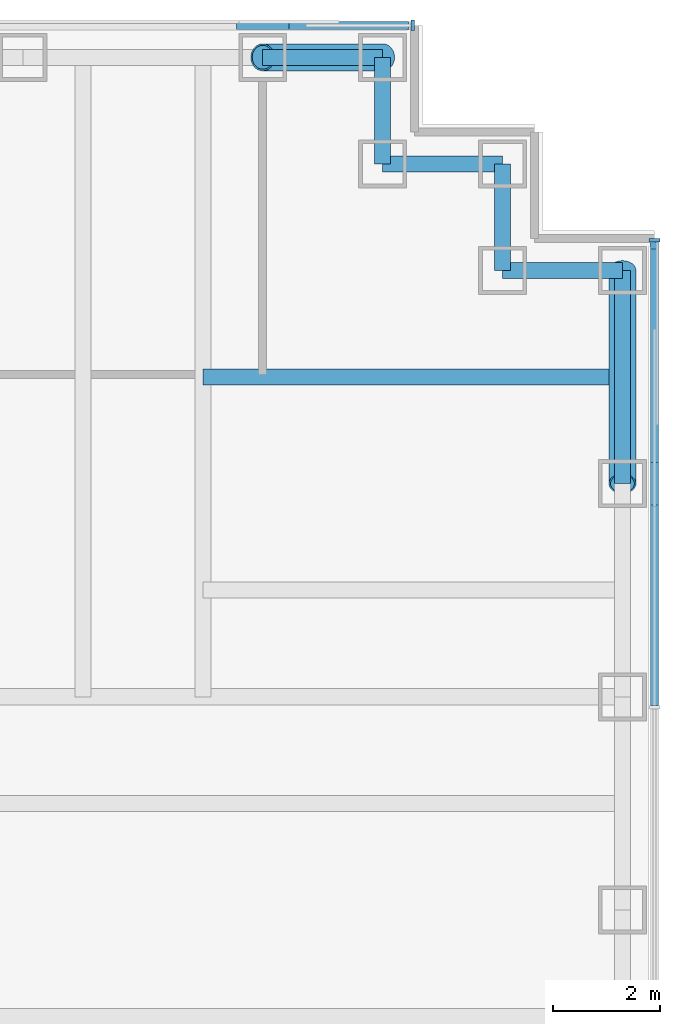
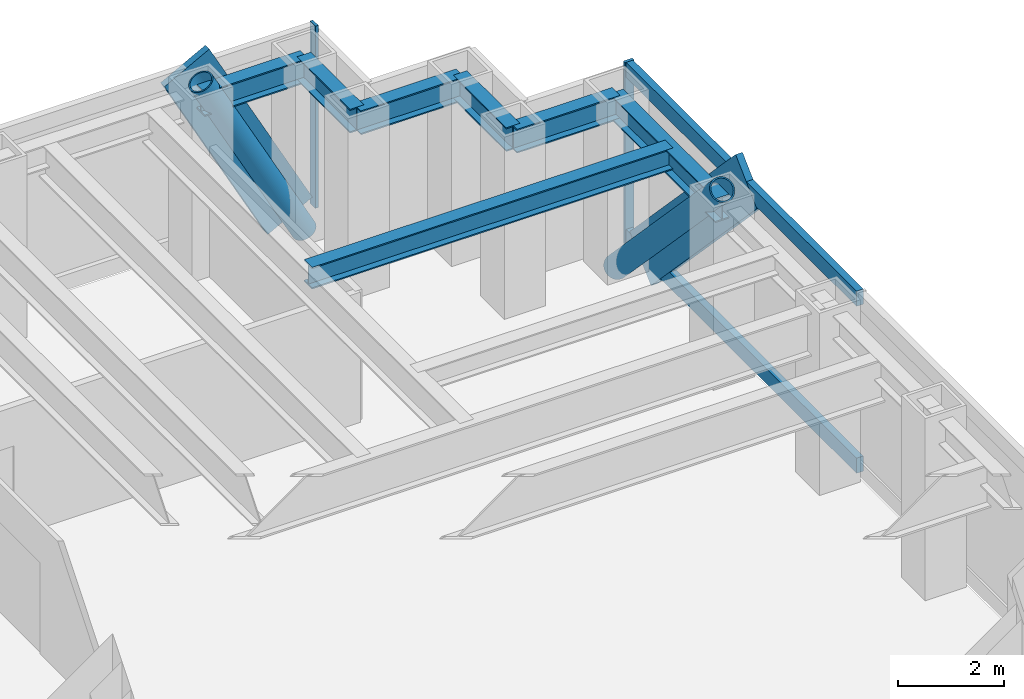
# One storey, part 9 of 15: 8 members, 7 beams, 2 elements without a shape of their own.
"""IFC4 building model written with IfcOpenShell, lengths in metres."""

from ifc_helpers import new_model, si_unit, direction, frame, origin, origin_2d, place, context, subcontext, project, spatial, rectangle, hollow_circle, i_section, extrude, material, material_profile, profile_set, type_object, element, aggregate, save


model = new_model("IFC4")

# Units and contexts
model_context = context("Model", 3, precision=1e-05, world=origin(), true_north=direction((0.0, 1.0)))
body_context = subcontext(model_context, "Body", "Model", "MODEL_VIEW")
ifc_project = project(units=[si_unit("LENGTHUNIT", "METRE"), si_unit("AREAUNIT", "SQUARE_METRE"), si_unit("VOLUMEUNIT", "CUBIC_METRE"), si_unit("PLANEANGLEUNIT", "RADIAN"), si_unit("MASSUNIT", "GRAM", prefix="KILO")], contexts=[model_context])

# Site, building, storey
site_placement = place(None, origin())
site = spatial("IfcSite", under=ifc_project, at=site_placement, CompositionType="ELEMENT")
building_placement = place(site_placement, origin())
building = spatial("IfcBuilding", under=site, at=building_placement, Name="Rheinbord Bourse Tower", CompositionType="ELEMENT")
storey_placement = place(building_placement, frame((0.0, 0.0, 275.300048828125)))
storey = spatial("IfcBuildingStorey", under=building, at=storey_placement, Name="L62", CompositionType="ELEMENT", Elevation=275.300048828125)

# Curtain wall, member
ifc_material_1 = material(Name="Dark glass and black aluminium", Category="aluminium")
curtain_wall_type = type_object("IfcCurtainWallType", Name="CW3 DARK GLASS CURTAIN WALL", PredefinedType="USERDEFINED", material=ifc_material_1)
curtain_wall_1_placement = place(storey_placement, origin())
curtain_wall_1 = element("IfcCurtainWall", 1, at=curtain_wall_1_placement, inside=storey, type_object=curtain_wall_type, Name="Curtain wall CW3 E L62", ObjectType="UNITISED CURTAIN WALL", PredefinedType="USERDEFINED")
ifc_material_2 = material(Name="Black anodised aluminium", Category="aluminium")
ifc_material_profile_1 = material_profile(ifc_material_2, rectangle(XDim=0.14990234375, YDim=1.10791015625, at=origin_2d()), Name="CW3 DIAGONAL MULLION 1108x150")
ifc_profile_set_1 = profile_set([ifc_material_profile_1], Name="Black anodised aluminium")
member_type_1 = type_object("IfcMemberType", Name="CW3 BLACK DIAGONAL MULLION", PredefinedType="USERDEFINED", material=ifc_profile_set_1)
member_1_placement = place(storey_placement, frame((70.35009765625, 40.0, 0.0), z_axis=(0.0, -0.689659376744, 0.724133926887), x_axis=(1.0, 0.0, 0.0)))
member_1 = element("IfcMember", 2, at=member_1_placement, type_object=member_type_1, Name="CW3 diagonal mullion a", ObjectType="DIAGONAL MULLION", PredefinedType="USERDEFINED", context=body_context, shape_type="SweptSolid", body=[
    extrude(rectangle(XDim=0.14990234375, YDim=1.10791015625, at=origin_2d()), origin(), (0.0, 0.0, 1.0), 5.800048828125),
])

curtain_wall_2_placement = place(storey_placement, origin())
curtain_wall_2 = element("IfcCurtainWall", 3, at=curtain_wall_2_placement, inside=storey, type_object=curtain_wall_type, Name="Curtain wall CW3 N L62", ObjectType="UNITISED CURTAIN WALL", PredefinedType="USERDEFINED")
member_2_placement = place(storey_placement, frame((65.25, 44.60009765625, 0.0), z_axis=(-0.472225678258, 0.0, 0.881477684796), x_axis=(0.0, -1.0, 0.0)))
member_2 = element("IfcMember", 4, at=member_2_placement, type_object=member_type_1, Name="CW3 diagonal mullion c", ObjectType="DIAGONAL MULLION", PredefinedType="USERDEFINED", context=body_context, shape_type="SweptSolid", body=[
    extrude(rectangle(XDim=0.14990234375, YDim=1.10791015625, at=origin_2d()), origin(), (0.0, 0.0, 1.0), 4.7646484375),
])

# Member
ifc_material_3 = material(Name="Black anodised aluminium", Category="aluminium")
ifc_material_profile_2 = material_profile(ifc_material_3, rectangle(XDim=0.199951171875, YDim=0.06494140625, at=origin_2d()), Name="CW3 MULLION 65x200")
ifc_profile_set_2 = profile_set([ifc_material_profile_2], Name="Black anodised aluminium")
member_type_2 = type_object("IfcMemberType", Name="CW3 BLACK MULLION", PredefinedType="MULLION", material=ifc_profile_set_2)
member_3_placement = place(storey_placement, frame((70.35009765625, 40.5673828125, 0.0), z_axis=(0.0, 0.0, 1.0), x_axis=(-1.0, 0.0, 0.0)))
member_3 = element("IfcMember", 5, at=member_3_placement, type_object=member_type_2, Name="CW3 mullion 5", PredefinedType="MULLION", context=body_context, shape_type="SweptSolid", body=[
    extrude(rectangle(XDim=0.199951171875, YDim=0.06494140625, at=origin_2d()), origin(), (0.0, 0.0, 1.0), 4.199951171875),
])

member_4_placement = place(storey_placement, frame((65.8173828125, 44.60009765625, 0.0), z_axis=(0.0, 0.0, 1.0), x_axis=(0.0, -1.0, 0.0)))
member_4 = element("IfcMember", 6, at=member_4_placement, type_object=member_type_2, Name="CW3 mullion 1", PredefinedType="MULLION", context=body_context, shape_type="SweptSolid", body=[
    extrude(rectangle(XDim=0.199951171875, YDim=0.06494140625, at=origin_2d()), origin(), (0.0, 0.0, 1.0), 4.199951171875),
])

aggregate(curtain_wall_2, [member_4, member_2])

ifc_material_4 = material(Name="Black anodised aluminium", Category="aluminium")
ifc_material_profile_3 = material_profile(ifc_material_4, rectangle(XDim=0.14990234375, YDim=0.35009765625, at=origin_2d()), Name="CW3 TRANSOM 350x150")
ifc_profile_set_3 = profile_set([ifc_material_profile_3], Name="Black anodised aluminium")
member_type_3 = type_object("IfcMemberType", Name="CW3 BLACK TRANSOM", PredefinedType="USERDEFINED", material=ifc_profile_set_3)
member_5_placement = place(storey_placement, frame((70.35009765625, 31.83251953125, 0.175048828125), z_axis=(0.0, 1.0, 0.0), x_axis=(-1.0, 0.0, 0.0)))
member_5 = element("IfcMember", 7, at=member_5_placement, type_object=member_type_3, Name="CW3 transom 4.1", ObjectType="TRANSOM", PredefinedType="USERDEFINED", context=body_context, shape_type="SweptSolid", body=[
    extrude(rectangle(XDim=0.14990234375, YDim=0.35009765625, at=origin_2d()), origin(), (0.0, 0.0, 1.0), 8.702392578125),
])

member_6_placement = place(storey_placement, frame((70.35009765625, 31.83251953125, 4.02490234375), z_axis=(0.0, 1.0, 0.0), x_axis=(-1.0, 0.0, 0.0)))
member_6 = element("IfcMember", 8, at=member_6_placement, type_object=member_type_3, Name="CW3 transom 4.2", ObjectType="TRANSOM", PredefinedType="USERDEFINED", context=body_context, shape_type="SweptSolid", body=[
    extrude(rectangle(XDim=0.14990234375, YDim=0.35009765625, at=origin_2d()), origin(), (0.0, 0.0, 1.0), 8.702392578125),
])

aggregate(curtain_wall_1, [member_3, member_5, member_6, member_1])

# Members
ifc_material_5 = material(Name="Steel S460", Category="steel")
ifc_material_profile_4 = material_profile(ifc_material_5, hollow_circle(Radius=0.25390625, WallThickness=0.030029296875, at=origin_2d()), Name="CHS 508x30")
ifc_profile_set_4 = profile_set([ifc_material_profile_4], Name="Steel S460")
member_type_4 = type_object("IfcMemberType", Name="MEGABRACE CHS 508x30", PredefinedType="BRACE", material=ifc_profile_set_4)
member_7_placement = place(storey_placement, frame((69.75, 40.0, 0.0), z_axis=(0.0, -0.689659376744, 0.724133926887), x_axis=(1.0, 0.0, 0.0)))
element("IfcMember", 9, at=member_7_placement, inside=storey, type_object=member_type_4, Name="Megabrace E face line a L62", PredefinedType="BRACE", context=body_context, shape_type="SweptSolid", body=[
    extrude(hollow_circle(Radius=0.25390625, WallThickness=0.030029296875, at=origin_2d()), origin(), (0.0, 0.0, 1.0), 5.800048828125),
])
member_8_placement = place(storey_placement, frame((65.25, 44.0, 0.0), z_axis=(-0.472225678258, 0.0, 0.881477684796), x_axis=(0.0, -1.0, 0.0)))
element("IfcMember", 10, at=member_8_placement, inside=storey, type_object=member_type_4, Name="Megabrace N face line c L62", PredefinedType="BRACE", context=body_context, shape_type="SweptSolid", body=[
    extrude(hollow_circle(Radius=0.25390625, WallThickness=0.030029296875, at=origin_2d()), origin(), (0.0, 0.0, 1.0), 4.7646484375),
])

# Beams
ifc_material_6 = material(Name="Steel S460", Category="steel")
ifc_material_profile_5 = material_profile(ifc_material_6, i_section(OverallWidth=0.300048828125, OverallDepth=0.550048828125, WebThickness=0.014892578125, FlangeThickness=0.029052734375, at=origin_2d()), Name="HEB 550")
ifc_profile_set_5 = profile_set([ifc_material_profile_5], Name="Steel S460")
beam_type_1 = type_object("IfcBeamType", Name="SPANDREL HEB 550", PredefinedType="SPANDREL", material=ifc_profile_set_5)
beam_1_placement = place(storey_placement, frame((69.75, 36.0, 3.764892578125), z_axis=(0.0, 1.0, 0.0), x_axis=(-1.0, 0.0, 0.0)))
element("IfcBeam", 11, at=beam_1_placement, inside=storey, type_object=beam_type_1, Name="Spandrel E-36-NE-A under L63", PredefinedType="SPANDREL", context=body_context, shape_type="SweptSolid", body=[
    extrude(i_section(OverallWidth=0.300048828125, OverallDepth=0.550048828125, WebThickness=0.014892578125, FlangeThickness=0.029052734375, at=origin_2d()), origin(), (0.0, 0.0, 1.0), 4.0),
])
beam_2_placement = place(storey_placement, frame((69.75, 40.0, 3.764892578125), z_axis=(-1.0, 0.0, 0.0), x_axis=(0.0, -1.0, 0.0)))
element("IfcBeam", 12, at=beam_2_placement, inside=storey, type_object=beam_type_1, Name="Spandrel NE-A-NE-B under L63", PredefinedType="SPANDREL", context=body_context, shape_type="SweptSolid", body=[
    extrude(i_section(OverallWidth=0.300048828125, OverallDepth=0.550048828125, WebThickness=0.014892578125, FlangeThickness=0.029052734375, at=origin_2d()), origin(), (0.0, 0.0, 1.0), 2.25),
])
beam_3_placement = place(storey_placement, frame((67.5, 40.0, 3.764892578125), z_axis=(0.0, 1.0, 0.0), x_axis=(-1.0, 0.0, 0.0)))
element("IfcBeam", 13, at=beam_3_placement, inside=storey, type_object=beam_type_1, Name="Spandrel NE-B-NE-C under L63", PredefinedType="SPANDREL", context=body_context, shape_type="SweptSolid", body=[
    extrude(i_section(OverallWidth=0.300048828125, OverallDepth=0.550048828125, WebThickness=0.014892578125, FlangeThickness=0.029052734375, at=origin_2d()), origin(), (0.0, 0.0, 1.0), 2.0),
])
beam_4_placement = place(storey_placement, frame((67.5, 42.0, 3.764892578125), z_axis=(-1.0, 0.0, 0.0), x_axis=(0.0, -1.0, 0.0)))
element("IfcBeam", 14, at=beam_4_placement, inside=storey, type_object=beam_type_1, Name="Spandrel NE-C-NE-D under L63", PredefinedType="SPANDREL", context=body_context, shape_type="SweptSolid", body=[
    extrude(i_section(OverallWidth=0.300048828125, OverallDepth=0.550048828125, WebThickness=0.014892578125, FlangeThickness=0.029052734375, at=origin_2d()), origin(), (0.0, 0.0, 1.0), 2.25),
])
beam_5_placement = place(storey_placement, frame((65.25, 42.0, 3.764892578125), z_axis=(0.0, 1.0, 0.0), x_axis=(-1.0, 0.0, 0.0)))
element("IfcBeam", 15, at=beam_5_placement, inside=storey, type_object=beam_type_1, Name="Spandrel NE-D-NE-E under L63", PredefinedType="SPANDREL", context=body_context, shape_type="SweptSolid", body=[
    extrude(i_section(OverallWidth=0.300048828125, OverallDepth=0.550048828125, WebThickness=0.014892578125, FlangeThickness=0.029052734375, at=origin_2d()), origin(), (0.0, 0.0, 1.0), 2.0),
])
beam_6_placement = place(storey_placement, frame((65.25, 44.0, 3.764892578125), z_axis=(-1.0, 0.0, 0.0), x_axis=(0.0, -1.0, 0.0)))
element("IfcBeam", 16, at=beam_6_placement, inside=storey, type_object=beam_type_1, Name="Spandrel NE-E-N-63 under L63", PredefinedType="SPANDREL", context=body_context, shape_type="SweptSolid", body=[
    extrude(i_section(OverallWidth=0.300048828125, OverallDepth=0.550048828125, WebThickness=0.014892578125, FlangeThickness=0.029052734375, at=origin_2d()), origin(), (0.0, 0.0, 1.0), 2.25),
])
ifc_material_7 = material(Name="Steel S460", Category="steel")
ifc_material_profile_6 = material_profile(ifc_material_7, i_section(OverallWidth=0.300048828125, OverallDepth=0.5, WebThickness=0.014404296875, FlangeThickness=0.028076171875, at=origin_2d()), Name="HEB 500")
ifc_profile_set_6 = profile_set([ifc_material_profile_6], Name="Steel S460")
beam_type_2 = type_object("IfcBeamType", Name="TIE BEAM HEB 500", PredefinedType="JOIST", material=ifc_profile_set_6)
beam_7_placement = place(storey_placement, frame((61.875, 38.0, 3.7900390625), z_axis=(1.0, 0.0, 0.0), x_axis=(0.0, 1.0, 0.0)))
element("IfcBeam", 17, at=beam_7_placement, inside=storey, type_object=beam_type_2, Name="Tie east 38 L63", PredefinedType="JOIST", context=body_context, shape_type="SweptSolid", body=[
    extrude(i_section(OverallWidth=0.300048828125, OverallDepth=0.5, WebThickness=0.014404296875, FlangeThickness=0.028076171875, at=origin_2d()), origin(), (0.0, 0.0, 1.0), 7.875),
])

save(model, "model.ifc")
